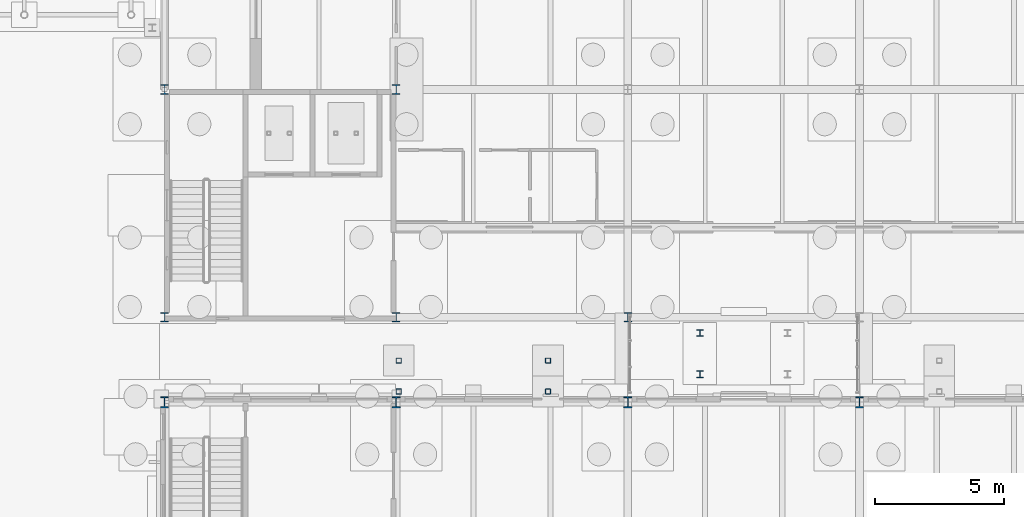
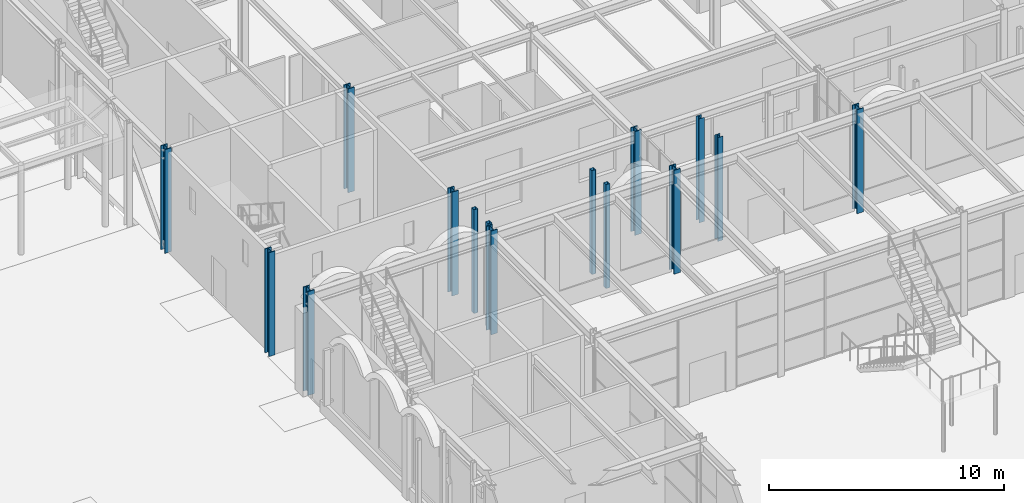
# One storey, part 20 of 126: 15 columns.
"""IFC4 building model written with IfcOpenShell, lengths in metres."""

from ifc_helpers import new_model, si_unit, direction, frame, origin, origin_2d, place, context, subcontext, project, spatial, hollow_rectangle, i_section, extrude, material, material_profile, profile_set, type_object, element, save


model = new_model("IFC4")

# Units and contexts
model_context = context("Model", 3, precision=1e-05, world=origin(), true_north=direction((0.0, 1.0)))
body_context = subcontext(model_context, "Body", "Model", "MODEL_VIEW")
ifc_project = project(units=[si_unit("LENGTHUNIT", "METRE"), si_unit("AREAUNIT", "SQUARE_METRE"), si_unit("VOLUMEUNIT", "CUBIC_METRE"), si_unit("PLANEANGLEUNIT", "RADIAN"), si_unit("MASSUNIT", "GRAM", prefix="KILO")], contexts=[model_context])

# Site, building, storey
site_placement = place(None, origin())
site = spatial("IfcSite", under=ifc_project, at=site_placement, CompositionType="ELEMENT")
building_placement = place(site_placement, origin())
building = spatial("IfcBuilding", under=site, at=building_placement, Name="Kallimachos Central Library", CompositionType="ELEMENT")
storey_placement = place(building_placement, origin())
storey = spatial("IfcBuildingStorey", under=building, at=storey_placement, Name="L00", CompositionType="ELEMENT", Elevation=0.0)

# Columns
ifc_material_1 = material(Name="Steel S355J2", Category="steel")
ifc_material_profile_1 = material_profile(ifc_material_1, i_section(OverallWidth=0.260009765625, OverallDepth=0.260009765625, WebThickness=0.010009765625, FlangeThickness=0.017578125, FilletRadius=0.02392578125, at=origin_2d()), Name="HEB 260")
ifc_profile_set_1 = profile_set([ifc_material_profile_1], Name="Steel S355J2")
column_type_1 = type_object("IfcColumnType", Name="HEB 260 column", PredefinedType="COLUMN", material=ifc_profile_set_1)
for number, where, z_axis, x_axis, name in (
    (1, (86.300048828125, 84.9375, 0.0), (0.0, 0.0, 1.0), (1.0, 0.0, 0.0), "Reading Link column"),
    (2, (86.300048828125, 86.53759765625, 0.0), (0.0, 0.0, 1.0), (1.0, 0.0, 0.0), "Reading Link column"),
):
    element("IfcColumn", number, at=place(storey_placement, frame(where, z_axis=z_axis, x_axis=x_axis)), inside=storey, type_object=column_type_1, Name=name, PredefinedType="COLUMN", context=body_context, shape_type="SweptSolid", body=[
        extrude(i_section(OverallWidth=0.260009765625, OverallDepth=0.260009765625, WebThickness=0.010009765625, FlangeThickness=0.017578125, FilletRadius=0.02392578125, at=origin_2d()), origin(), (0.0, 0.0, 1.0), 5.39990234375),
    ])
ifc_material_2 = material(Name="Steel S355J2", Category="steel")
ifc_material_profile_2 = material_profile(ifc_material_2, i_section(OverallWidth=0.30908203125, OverallDepth=0.376953125, WebThickness=0.02099609375, FlangeThickness=0.0400390625, FilletRadius=0.027099609375, at=origin_2d()), Name="HEM 340")
ifc_profile_set_2 = profile_set([ifc_material_profile_2], Name="Steel S355J2")
column_type_2 = type_object("IfcColumnType", Name="HEM 340 column", PredefinedType="COLUMN", material=ifc_profile_set_2)
for number, where, z_axis, x_axis, name in (
    (3, (65.5, 87.14990234375, 0.0), (0.0, 0.0, 1.0), (1.0, 0.0, 0.0), "V1-COL-L00-001"),
    (4, (74.5, 87.14990234375, 0.0), (0.0, 0.0, 1.0), (1.0, 0.0, 0.0), "V1-COL-L00-002"),
    (5, (83.5, 87.14990234375, 0.0), (0.0, 0.0, 1.0), (1.0, 0.0, 0.0), "V1-COL-L00-003"),
    (6, (65.5, 96.0, 0.0), (0.0, 0.0, 1.0), (1.0, 0.0, 0.0), "V1-COL-L00-007"),
    (7, (74.5, 96.0, 0.0), (0.0, 0.0, 1.0), (1.0, 0.0, 0.0), "V1-COL-L00-008"),
):
    element("IfcColumn", number, at=place(storey_placement, frame(where, z_axis=z_axis, x_axis=x_axis)), inside=storey, type_object=column_type_2, Name=name, PredefinedType="COLUMN", context=body_context, shape_type="SweptSolid", body=[
        extrude(i_section(OverallWidth=0.30908203125, OverallDepth=0.376953125, WebThickness=0.02099609375, FlangeThickness=0.0400390625, FilletRadius=0.027099609375, at=origin_2d()), origin(), (0.0, 0.0, 1.0), 5.39990234375),
    ])
ifc_material_3 = material(Name="Steel S355J2", Category="steel")
ifc_material_profile_3 = material_profile(ifc_material_3, i_section(OverallWidth=0.306884765625, OverallDepth=0.431884765625, WebThickness=0.02099609375, FlangeThickness=0.0400390625, FilletRadius=0.027099609375, at=origin_2d()), Name="HEM 400")
ifc_profile_set_3 = profile_set([ifc_material_profile_3], Name="Steel S355J2")
column_type_3 = type_object("IfcColumnType", Name="HEM 400 column", PredefinedType="COLUMN", material=ifc_profile_set_3)
for number, where, z_axis, x_axis, name in (
    (8, (65.5, 83.85009765625, 0.0), (0.0, 0.0, 1.0), (1.0, 0.0, 0.0), "V4-COL-L00-028"),
    (9, (74.5, 83.85009765625, 0.0), (0.0, 0.0, 1.0), (1.0, 0.0, 0.0), "V4-COL-L00-029"),
    (10, (83.5, 83.85009765625, 0.0), (0.0, 0.0, 1.0), (1.0, 0.0, 0.0), "V4-COL-L00-030"),
    (11, (92.5, 83.85009765625, 0.0), (0.0, 0.0, 1.0), (1.0, 0.0, 0.0), "V4-COL-L00-031"),
):
    element("IfcColumn", number, at=place(storey_placement, frame(where, z_axis=z_axis, x_axis=x_axis)), inside=storey, type_object=column_type_3, Name=name, PredefinedType="COLUMN", context=body_context, shape_type="SweptSolid", body=[
        extrude(i_section(OverallWidth=0.306884765625, OverallDepth=0.431884765625, WebThickness=0.02099609375, FlangeThickness=0.0400390625, FilletRadius=0.027099609375, at=origin_2d()), origin(), (0.0, 0.0, 1.0), 5.39990234375),
    ])
ifc_material_4 = material(Name="Steel S355J2H", Category="steel")
ifc_material_profile_4 = material_profile(ifc_material_4, hollow_rectangle(XDim=0.199951171875, YDim=0.199951171875, WallThickness=0.010009765625, InnerFilletRadius=0.010009765625, OuterFilletRadius=0.014892578125, at=origin_2d()), Name="SHS 200x200x10")
ifc_profile_set_4 = profile_set([ifc_material_profile_4], Name="Steel S355J2H")
column_type_4 = type_object("IfcColumnType", Name="SHS 200x200x10 column", PredefinedType="COLUMN", material=ifc_profile_set_4)
for number, where, z_axis, x_axis, name in (
    (12, (74.60009765625, 84.26611328125, 0.0), (0.0, 0.0, 1.0), (1.0, 0.0, 0.0), "Tribune bay N1 column 1"),
    (13, (80.39990234375, 84.26611328125, 0.0), (0.0, 0.0, 1.0), (1.0, 0.0, 0.0), "Tribune bay N1 column 2"),
    (14, (74.60009765625, 85.466064453125, 0.0), (0.0, 0.0, 1.0), (1.0, 0.0, 0.0), "Tribune bay N1 column 3"),
    (15, (80.39990234375, 85.466064453125, 0.0), (0.0, 0.0, 1.0), (1.0, 0.0, 0.0), "Tribune bay N1 column 4"),
):
    element("IfcColumn", number, at=place(storey_placement, frame(where, z_axis=z_axis, x_axis=x_axis)), inside=storey, type_object=column_type_4, Name=name, PredefinedType="COLUMN", context=body_context, shape_type="SweptSolid", body=[
        extrude(hollow_rectangle(XDim=0.199951171875, YDim=0.199951171875, WallThickness=0.010009765625, InnerFilletRadius=0.010009765625, OuterFilletRadius=0.014892578125, at=origin_2d()), origin(), (0.0, 0.0, 1.0), 5.39990234375),
    ])

save(model, "model.ifc")
